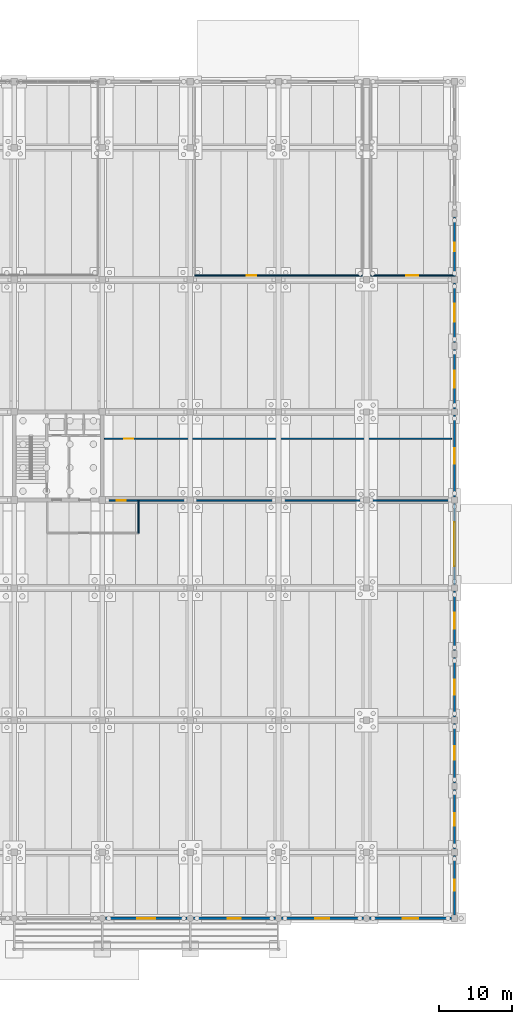
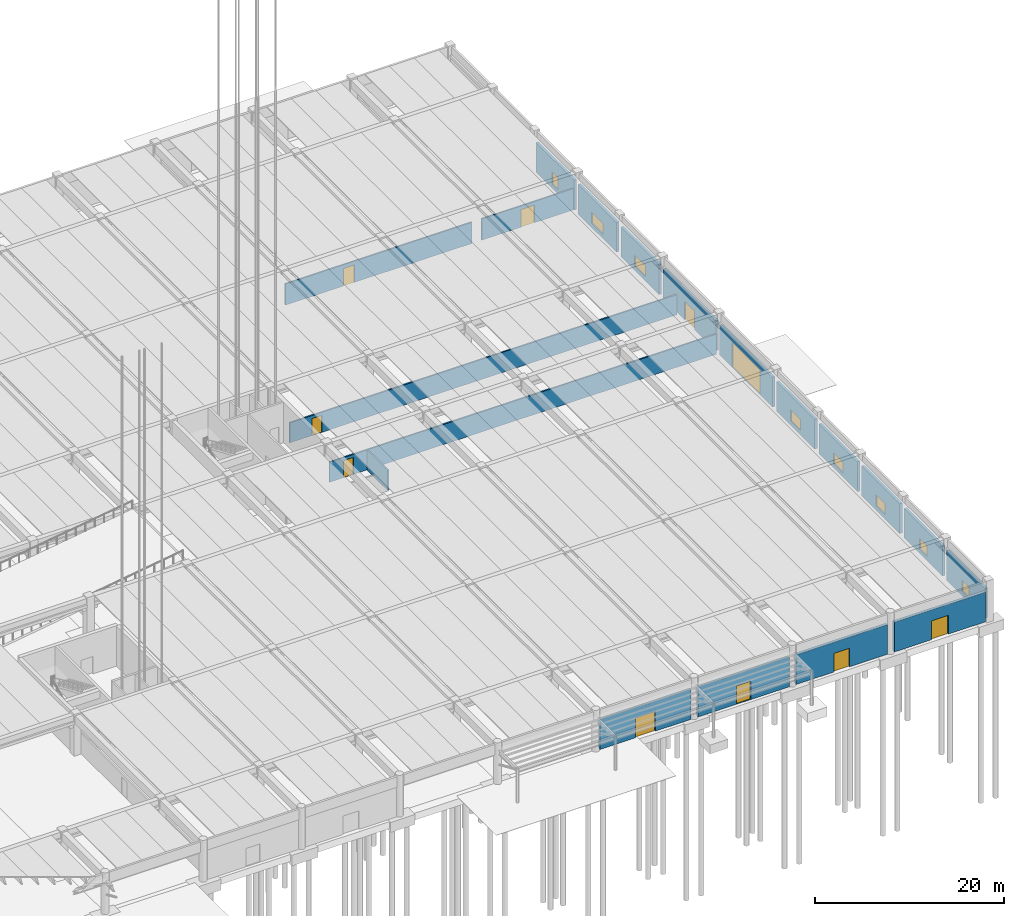
# One storey, part 30 of 59: 19 walls, 10 doors, 8 windows, 18 openings.
"""IFC4 building model written with IfcOpenShell, lengths in metres."""

from ifc_helpers import new_model, si_unit, direction, frame, frame_2d, origin, place, context, subcontext, project, spatial, rectangle, extrude, material, layer, layer_set, type_object, element, fill, save


model = new_model("IFC4")

# Units and contexts
model_context = context("Model", 3, precision=1e-05, world=origin(), true_north=direction((0.0, 1.0)))
body_context = subcontext(model_context, "Body", "Model", "MODEL_VIEW")
ifc_project = project(units=[si_unit("LENGTHUNIT", "METRE"), si_unit("AREAUNIT", "SQUARE_METRE"), si_unit("VOLUMEUNIT", "CUBIC_METRE"), si_unit("PLANEANGLEUNIT", "RADIAN"), si_unit("MASSUNIT", "GRAM", prefix="KILO")], contexts=[model_context])

# Site, building, storey
site_placement = place(None, origin())
site = spatial("IfcSite", under=ifc_project, at=site_placement, CompositionType="ELEMENT")
building_placement = place(site_placement, origin())
building = spatial("IfcBuilding", under=site, at=building_placement, Name="Girod Span Mobility Hub", CompositionType="ELEMENT")
storey_placement = place(building_placement, origin())
storey = spatial("IfcBuildingStorey", under=building, at=storey_placement, Name="L00", CompositionType="ELEMENT", Elevation=0.0)

# Wall, opening, window
ifc_material_1 = material(Name="Precast Architectural Concrete C40/50", Category="concrete")
ifc_layer_1 = layer(ifc_material_1, 0.320068359375)
ifc_layer_set_1 = layer_set([ifc_layer_1], Name="Precast Architectural Concrete C40/50")
wall_type_1 = type_object("IfcWallType", Name="W-EXT-320", PredefinedType="SOLIDWALL", material=ifc_layer_set_1)
wall_1_placement = place(storey_placement, frame((168.0, 0.423095703125, 0.0), z_axis=(0.0, 0.0, 1.0), x_axis=(0.0, 1.0, 0.0)))
wall_1 = element("IfcWall", 1, at=wall_1_placement, inside=storey, type_object=wall_type_1, Name="Side Exterior Wall E-A-1 L00", PredefinedType="SOLIDWALL", context=body_context, shape_type="SweptSolid", body=[
    extrude(rectangle(XDim=8.15380859375, YDim=0.320068359375, at=frame_2d((4.076904296875, 0.0))), origin(), (0.0, 0.0, 1.0), 3.85009765625),
])
opening_1_placement = place(wall_1_placement, frame((3.31689453125, 0.0, 0.550048828125)))
opening_1 = element("IfcOpeningElement", 2, at=opening_1_placement, cuts=wall_1, Name="Opening W-L00-E01", PredefinedType="OPENING", context=body_context, shape_type="SweptSolid", body=[
    extrude(rectangle(XDim=1.52001953125, YDim=1.419921875, at=frame_2d((0.760009765625, 0.7099609375))), frame((0.0, 0.175048828125, 0.0), z_axis=(0.0, -1.0, 0.0), x_axis=(1.0, 0.0, 0.0)), (0.0, 0.0, 1.0), 0.35009765625),
])
ifc_material_2 = material(Name="Double Low-E Insulated Glazing", Category="glass")
window_type_1 = type_object("IfcWindowType", Name="WN-14", PartitioningType="SINGLE_PANEL", PredefinedType="WINDOW", material=ifc_material_2)
window_1_placement = place(opening_1_placement, origin())
window_1 = element("IfcWindow", 3, at=window_1_placement, inside=storey, type_object=window_type_1, Name="Side Facade Window WN-14", OverallHeight=1.419921875, OverallWidth=1.52001953125, PartitioningType="SINGLE_PANEL", PredefinedType="WINDOW", context=body_context, shape_type="SweptSolid", body=[
    extrude(rectangle(XDim=1.52001953125, YDim=1.419921875, at=frame_2d((0.760009765625, 0.7099609375))), frame((0.0, 0.030029296875, 0.0), z_axis=(0.0, -1.0, 0.0), x_axis=(1.0, 0.0, 0.0)), (0.0, 0.0, 1.0), 0.06005859375),
])
fill(opening_1, window_1)

wall_2_placement = place(storey_placement, frame((168.0, 9.423095703125, 0.0), z_axis=(0.0, 0.0, 1.0), x_axis=(0.0, 1.0, 0.0)))
wall_2 = element("IfcWall", 4, at=wall_2_placement, inside=storey, type_object=wall_type_1, Name="Side Exterior Wall E-B-1 L00", PredefinedType="SOLIDWALL", context=body_context, shape_type="SweptSolid", body=[
    extrude(rectangle(XDim=8.10400390625, YDim=0.320068359375, at=frame_2d((4.052001953125, 0.0))), origin(), (0.0, 0.0, 1.0), 3.85009765625),
])
opening_2_placement = place(wall_2_placement, frame((3.2119140625, 0.0, 0.550048828125)))
opening_2 = element("IfcOpeningElement", 5, at=opening_2_placement, cuts=wall_2, Name="Opening W-L00-E11", PredefinedType="OPENING", context=body_context, shape_type="SweptSolid", body=[
    extrude(rectangle(XDim=1.679931640625, YDim=1.419921875, at=frame_2d((0.83984375, 0.7099609375))), frame((0.0, 0.175048828125, 0.0), z_axis=(0.0, -1.0, 0.0), x_axis=(1.0, 0.0, 0.0)), (0.0, 0.0, 1.0), 0.35009765625),
])
ifc_material_3 = material(Name="Double Low-E Insulated Glazing", Category="glass")
window_type_2 = type_object("IfcWindowType", Name="WN-15", PartitioningType="SINGLE_PANEL", PredefinedType="WINDOW", material=ifc_material_3)
window_2_placement = place(opening_2_placement, origin())
window_2 = element("IfcWindow", 6, at=window_2_placement, inside=storey, type_object=window_type_2, Name="Side Facade Window WN-15", OverallHeight=1.419921875, OverallWidth=1.679931640625, PartitioningType="SINGLE_PANEL", PredefinedType="WINDOW", context=body_context, shape_type="SweptSolid", body=[
    extrude(rectangle(XDim=1.679931640625, YDim=1.419921875, at=frame_2d((0.83984375, 0.7099609375))), frame((0.0, 0.030029296875, 0.0), z_axis=(0.0, -1.0, 0.0), x_axis=(1.0, 0.0, 0.0)), (0.0, 0.0, 1.0), 0.06005859375),
])
fill(opening_2, window_2)

wall_3_placement = place(storey_placement, frame((168.0, 18.472900390625, 0.0), z_axis=(0.0, 0.0, 1.0), x_axis=(0.0, 1.0, 0.0)))
wall_3 = element("IfcWall", 7, at=wall_3_placement, inside=storey, type_object=wall_type_1, Name="Side Exterior Wall E-B-2 L00", PredefinedType="SOLIDWALL", context=body_context, shape_type="SweptSolid", body=[
    extrude(rectangle(XDim=8.10400390625, YDim=0.320068359375, at=frame_2d((4.052001953125, 0.0))), origin(), (0.0, 0.0, 1.0), 3.85009765625),
])
opening_3_placement = place(wall_3_placement, frame((3.132080078125, 0.0, 0.550048828125)))
opening_3 = element("IfcOpeningElement", 8, at=opening_3_placement, cuts=wall_3, Name="Opening W-L00-E12", PredefinedType="OPENING", context=body_context, shape_type="SweptSolid", body=[
    extrude(rectangle(XDim=1.840087890625, YDim=1.419921875, at=frame_2d((0.919921875, 0.7099609375))), frame((0.0, 0.175048828125, 0.0), z_axis=(0.0, -1.0, 0.0), x_axis=(1.0, 0.0, 0.0)), (0.0, 0.0, 1.0), 0.35009765625),
])
ifc_material_4 = material(Name="Double Low-E Insulated Glazing", Category="glass")
window_type_3 = type_object("IfcWindowType", Name="WN-16", PartitioningType="DOUBLE_PANEL_VERTICAL", PredefinedType="WINDOW", material=ifc_material_4)
window_3_placement = place(opening_3_placement, origin())
window_3 = element("IfcWindow", 9, at=window_3_placement, inside=storey, type_object=window_type_3, Name="Side Facade Window WN-16", OverallHeight=1.419921875, OverallWidth=1.840087890625, PartitioningType="DOUBLE_PANEL_VERTICAL", PredefinedType="WINDOW", context=body_context, shape_type="SweptSolid", body=[
    extrude(rectangle(XDim=1.840087890625, YDim=1.419921875, at=frame_2d((0.919921875, 0.7099609375))), frame((0.0, 0.030029296875, 0.0), z_axis=(0.0, -1.0, 0.0), x_axis=(1.0, 0.0, 0.0)), (0.0, 0.0, 1.0), 0.06005859375),
])
fill(opening_3, window_3)

wall_4_placement = place(storey_placement, frame((168.0, 27.423095703125, 0.0), z_axis=(0.0, 0.0, 1.0), x_axis=(0.0, 1.0, 0.0)))
wall_4 = element("IfcWall", 10, at=wall_4_placement, inside=storey, type_object=wall_type_1, Name="Side Exterior Wall E-C-1 L00", PredefinedType="SOLIDWALL", context=body_context, shape_type="SweptSolid", body=[
    extrude(rectangle(XDim=8.10400390625, YDim=0.320068359375, at=frame_2d((4.052001953125, 0.0))), origin(), (0.0, 0.0, 1.0), 3.85009765625),
])
opening_4_placement = place(wall_4_placement, frame((3.052001953125, 0.0, 0.550048828125)))
opening_4 = element("IfcOpeningElement", 11, at=opening_4_placement, cuts=wall_4, Name="Opening W-L00-E21", PredefinedType="OPENING", context=body_context, shape_type="SweptSolid", body=[
    extrude(rectangle(XDim=2.0, YDim=1.419921875, at=frame_2d((1.0, 0.7099609375))), frame((0.0, 0.175048828125, 0.0), z_axis=(0.0, -1.0, 0.0), x_axis=(1.0, 0.0, 0.0)), (0.0, 0.0, 1.0), 0.35009765625),
])
ifc_material_5 = material(Name="Double Low-E Insulated Glazing", Category="glass")
window_type_4 = type_object("IfcWindowType", Name="WN-17", PartitioningType="DOUBLE_PANEL_VERTICAL", PredefinedType="WINDOW", material=ifc_material_5)
window_4_placement = place(opening_4_placement, origin())
window_4 = element("IfcWindow", 12, at=window_4_placement, inside=storey, type_object=window_type_4, Name="Side Facade Window WN-17", OverallHeight=1.419921875, OverallWidth=2.0, PartitioningType="DOUBLE_PANEL_VERTICAL", PredefinedType="WINDOW", context=body_context, shape_type="SweptSolid", body=[
    extrude(rectangle(XDim=2.0, YDim=1.419921875, at=frame_2d((1.0, 0.7099609375))), frame((0.0, 0.030029296875, 0.0), z_axis=(0.0, -1.0, 0.0), x_axis=(1.0, 0.0, 0.0)), (0.0, 0.0, 1.0), 0.06005859375),
])
fill(opening_4, window_4)

wall_5_placement = place(storey_placement, frame((168.0, 36.472900390625, 0.0), z_axis=(0.0, 0.0, 1.0), x_axis=(0.0, 1.0, 0.0)))
wall_5 = element("IfcWall", 13, at=wall_5_placement, inside=storey, type_object=wall_type_1, Name="Side Exterior Wall E-C-2 L00", PredefinedType="SOLIDWALL", context=body_context, shape_type="SweptSolid", body=[
    extrude(rectangle(XDim=8.10400390625, YDim=0.320068359375, at=frame_2d((4.052001953125, 0.0))), origin(), (0.0, 0.0, 1.0), 3.85009765625),
])
opening_5_placement = place(wall_5_placement, frame((2.971923828125, 0.0, 0.550048828125)))
opening_5 = element("IfcOpeningElement", 14, at=opening_5_placement, cuts=wall_5, Name="Opening W-L00-E22", PredefinedType="OPENING", context=body_context, shape_type="SweptSolid", body=[
    extrude(rectangle(XDim=2.159912109375, YDim=1.419921875, at=frame_2d((1.080078125, 0.7099609375))), frame((0.0, 0.175048828125, 0.0), z_axis=(0.0, -1.0, 0.0), x_axis=(1.0, 0.0, 0.0)), (0.0, 0.0, 1.0), 0.35009765625),
])
ifc_material_6 = material(Name="Double Low-E Insulated Glazing", Category="glass")
window_type_5 = type_object("IfcWindowType", Name="WN-18", PartitioningType="DOUBLE_PANEL_VERTICAL", PredefinedType="WINDOW", material=ifc_material_6)
window_5_placement = place(opening_5_placement, origin())
window_5 = element("IfcWindow", 15, at=window_5_placement, inside=storey, type_object=window_type_5, Name="Side Facade Window WN-18", OverallHeight=1.419921875, OverallWidth=2.159912109375, PartitioningType="DOUBLE_PANEL_VERTICAL", PredefinedType="WINDOW", context=body_context, shape_type="SweptSolid", body=[
    extrude(rectangle(XDim=2.159912109375, YDim=1.419921875, at=frame_2d((1.080078125, 0.7099609375))), frame((0.0, 0.030029296875, 0.0), z_axis=(0.0, -1.0, 0.0), x_axis=(1.0, 0.0, 0.0)), (0.0, 0.0, 1.0), 0.06005859375),
])
fill(opening_5, window_5)

# Wall, opening, door
wall_6_placement = place(storey_placement, frame((168.0, 45.423095703125, 0.0), z_axis=(0.0, 0.0, 1.0), x_axis=(0.0, 1.0, 0.0)))
wall_6 = element("IfcWall", 16, at=wall_6_placement, inside=storey, type_object=wall_type_1, Name="Side Exterior Wall E-D-1 L00", PredefinedType="SOLIDWALL", context=body_context, shape_type="SweptSolid", body=[
    extrude(rectangle(XDim=11.15380859375, YDim=0.320068359375, at=frame_2d((5.576904296875, 0.0))), origin(), (0.0, 0.0, 1.0), 3.85009765625),
])
opening_6_placement = place(wall_6_placement, frame((2.576904296875, 0.0, 0.0)))
opening_6 = element("IfcOpeningElement", 17, at=opening_6_placement, cuts=wall_6, Name="Opening VG-02", PredefinedType="OPENING", context=body_context, shape_type="SweptSolid", body=[
    extrude(rectangle(XDim=6.0, YDim=3.199951171875, at=frame_2d((3.0, 1.60009765625))), frame((0.0, 0.175048828125, 0.0), z_axis=(0.0, -1.0, 0.0), x_axis=(1.0, 0.0, 0.0)), (0.0, 0.0, 1.0), 0.35009765625),
])
ifc_material_7 = material(Name="Thermally Broken Anodised Aluminium", Category="aluminium")
door_type_1 = type_object("IfcDoorType", Name="VG-6000X3200", OperationType="DOUBLE_DOOR_SLIDING", PredefinedType="GATE", material=ifc_material_7)
door_1_placement = place(opening_6_placement, origin())
door_1 = element("IfcDoor", 18, at=door_1_placement, inside=storey, type_object=door_type_1, Name="Vehicle Ramp Exit Gate VG-02", OperationType="DOUBLE_DOOR_SLIDING", OverallHeight=3.199951171875, OverallWidth=6.0, PredefinedType="GATE", context=body_context, shape_type="SweptSolid", body=[
    extrude(rectangle(XDim=6.0, YDim=3.199951171875, at=frame_2d((3.0, 1.60009765625))), frame((0.0, 0.02490234375, 0.0), z_axis=(0.0, -1.0, 0.0), x_axis=(1.0, 0.0, 0.0)), (0.0, 0.0, 1.0), 0.050048828125),
])
fill(opening_6, door_1)

wall_7_placement = place(storey_placement, frame((168.0, 57.423095703125, 0.0), z_axis=(0.0, 0.0, 1.0), x_axis=(0.0, 1.0, 0.0)))
wall_7 = element("IfcWall", 19, at=wall_7_placement, inside=storey, type_object=wall_type_1, Name="Side Exterior Wall E-E-1 L00", PredefinedType="SOLIDWALL", context=body_context, shape_type="SweptSolid", body=[
    extrude(rectangle(XDim=11.15380859375, YDim=0.320068359375, at=frame_2d((5.576904296875, 0.0))), origin(), (0.0, 0.0, 1.0), 3.85009765625),
])
opening_7_placement = place(wall_7_placement, frame((4.537109375, 0.0, 0.0)))
opening_7 = element("IfcOpeningElement", 20, at=opening_7_placement, cuts=wall_7, Name="Opening D-L00-EP", PredefinedType="OPENING", context=body_context, shape_type="SweptSolid", body=[
    extrude(rectangle(XDim=2.080078125, YDim=2.43994140625, at=frame_2d((1.0400390625, 1.219970703125))), frame((0.0, 0.175048828125, 0.0), z_axis=(0.0, -1.0, 0.0), x_axis=(1.0, 0.0, 0.0)), (0.0, 0.0, 1.0), 0.35009765625),
])
ifc_material_8 = material(Name="Thermally Broken Anodised Aluminium", Category="aluminium")
door_type_2 = type_object("IfcDoorType", Name="DR-EXT-03", OperationType="DOUBLE_DOOR_SINGLE_SWING", PredefinedType="DOOR", material=ifc_material_8)
door_2_placement = place(opening_7_placement, frame((2.080078125, 0.0, 0.0), z_axis=(0.0, 0.0, 1.0), x_axis=(-1.0, 0.0, 0.0)))
door_2 = element("IfcDoor", 21, at=door_2_placement, inside=storey, type_object=door_type_2, Name="E Apron Concourse Exit Door", OperationType="DOUBLE_DOOR_SINGLE_SWING", OverallHeight=2.43994140625, OverallWidth=2.080078125, PredefinedType="DOOR", context=body_context, shape_type="SweptSolid", body=[
    extrude(rectangle(XDim=2.080078125, YDim=2.43994140625, at=frame_2d((1.0400390625, 1.219970703125))), frame((0.0, 0.02490234375, 0.0), z_axis=(0.0, -1.0, 0.0), x_axis=(1.0, 0.0, 0.0)), (0.0, 0.0, 1.0), 0.050048828125),
])
fill(opening_7, door_2)

# Wall, opening, window
wall_8_placement = place(storey_placement, frame((168.0, 69.423095703125, 0.0), z_axis=(0.0, 0.0, 1.0), x_axis=(0.0, 1.0, 0.0)))
wall_8 = element("IfcWall", 22, at=wall_8_placement, inside=storey, type_object=wall_type_1, Name="Side Exterior Wall E-F-1 L00", PredefinedType="SOLIDWALL", context=body_context, shape_type="SweptSolid", body=[
    extrude(rectangle(XDim=8.10400390625, YDim=0.320068359375, at=frame_2d((4.052001953125, 0.0))), origin(), (0.0, 0.0, 1.0), 3.85009765625),
])
opening_8_placement = place(wall_8_placement, frame((2.89208984375, 0.0, 0.550048828125)))
opening_8 = element("IfcOpeningElement", 23, at=opening_8_placement, cuts=wall_8, Name="Opening W-L00-E51", PredefinedType="OPENING", context=body_context, shape_type="SweptSolid", body=[
    extrude(rectangle(XDim=2.320068359375, YDim=1.419921875, at=frame_2d((1.16015625, 0.7099609375))), frame((0.0, 0.175048828125, 0.0), z_axis=(0.0, -1.0, 0.0), x_axis=(1.0, 0.0, 0.0)), (0.0, 0.0, 1.0), 0.35009765625),
])
ifc_material_9 = material(Name="Double Low-E Insulated Glazing", Category="glass")
window_type_6 = type_object("IfcWindowType", Name="WN-19", PartitioningType="DOUBLE_PANEL_VERTICAL", PredefinedType="WINDOW", material=ifc_material_9)
window_6_placement = place(opening_8_placement, origin())
window_6 = element("IfcWindow", 24, at=window_6_placement, inside=storey, type_object=window_type_6, Name="Side Facade Window WN-19", OverallHeight=1.419921875, OverallWidth=2.320068359375, PartitioningType="DOUBLE_PANEL_VERTICAL", PredefinedType="WINDOW", context=body_context, shape_type="SweptSolid", body=[
    extrude(rectangle(XDim=2.320068359375, YDim=1.419921875, at=frame_2d((1.16015625, 0.7099609375))), frame((0.0, 0.030029296875, 0.0), z_axis=(0.0, -1.0, 0.0), x_axis=(1.0, 0.0, 0.0)), (0.0, 0.0, 1.0), 0.06005859375),
])
fill(opening_8, window_6)

wall_9_placement = place(storey_placement, frame((168.0, 78.472900390625, 0.0), z_axis=(0.0, 0.0, 1.0), x_axis=(0.0, 1.0, 0.0)))
wall_9 = element("IfcWall", 25, at=wall_9_placement, inside=storey, type_object=wall_type_1, Name="Side Exterior Wall E-F-2 L00", PredefinedType="SOLIDWALL", context=body_context, shape_type="SweptSolid", body=[
    extrude(rectangle(XDim=8.10400390625, YDim=0.320068359375, at=frame_2d((4.052001953125, 0.0))), origin(), (0.0, 0.0, 1.0), 3.85009765625),
])
opening_9_placement = place(wall_9_placement, frame((2.81201171875, 0.0, 0.550048828125)))
opening_9 = element("IfcOpeningElement", 26, at=opening_9_placement, cuts=wall_9, Name="Opening W-L00-E52", PredefinedType="OPENING", context=body_context, shape_type="SweptSolid", body=[
    extrude(rectangle(XDim=2.47998046875, YDim=1.419921875, at=frame_2d((1.239990234375, 0.7099609375))), frame((0.0, 0.175048828125, 0.0), z_axis=(0.0, -1.0, 0.0), x_axis=(1.0, 0.0, 0.0)), (0.0, 0.0, 1.0), 0.35009765625),
])
ifc_material_10 = material(Name="Double Low-E Insulated Glazing", Category="glass")
window_type_7 = type_object("IfcWindowType", Name="WN-20", PartitioningType="DOUBLE_PANEL_VERTICAL", PredefinedType="WINDOW", material=ifc_material_10)
window_7_placement = place(opening_9_placement, origin())
window_7 = element("IfcWindow", 27, at=window_7_placement, inside=storey, type_object=window_type_7, Name="Side Facade Window WN-20", OverallHeight=1.419921875, OverallWidth=2.47998046875, PartitioningType="DOUBLE_PANEL_VERTICAL", PredefinedType="WINDOW", context=body_context, shape_type="SweptSolid", body=[
    extrude(rectangle(XDim=2.47998046875, YDim=1.419921875, at=frame_2d((1.239990234375, 0.7099609375))), frame((0.0, 0.030029296875, 0.0), z_axis=(0.0, -1.0, 0.0), x_axis=(1.0, 0.0, 0.0)), (0.0, 0.0, 1.0), 0.06005859375),
])
fill(opening_9, window_7)

wall_10_placement = place(storey_placement, frame((168.0, 87.423095703125, 0.0), z_axis=(0.0, 0.0, 1.0), x_axis=(0.0, 1.0, 0.0)))
wall_10 = element("IfcWall", 28, at=wall_10_placement, inside=storey, type_object=wall_type_1, Name="Side Exterior Wall E-G-1 L00", PredefinedType="SOLIDWALL", context=body_context, shape_type="SweptSolid", body=[
    extrude(rectangle(XDim=8.10400390625, YDim=0.320068359375, at=frame_2d((4.052001953125, 0.0))), origin(), (0.0, 0.0, 1.0), 3.85009765625),
])
opening_10_placement = place(wall_10_placement, frame((3.4619140625, 0.0, 0.550048828125)))
opening_10 = element("IfcOpeningElement", 29, at=opening_10_placement, cuts=wall_10, Name="Opening W-L00-E61", PredefinedType="OPENING", context=body_context, shape_type="SweptSolid", body=[
    extrude(rectangle(XDim=1.179931640625, YDim=1.580078125, at=frame_2d((0.58984375, 0.7900390625))), frame((0.0, 0.175048828125, 0.0), z_axis=(0.0, -1.0, 0.0), x_axis=(1.0, 0.0, 0.0)), (0.0, 0.0, 1.0), 0.35009765625),
])
ifc_material_11 = material(Name="Double Low-E Insulated Glazing", Category="glass")
window_type_8 = type_object("IfcWindowType", Name="WN-21", PartitioningType="SINGLE_PANEL", PredefinedType="WINDOW", material=ifc_material_11)
window_8_placement = place(opening_10_placement, origin())
window_8 = element("IfcWindow", 30, at=window_8_placement, inside=storey, type_object=window_type_8, Name="Side Facade Window WN-21", OverallHeight=1.580078125, OverallWidth=1.179931640625, PartitioningType="SINGLE_PANEL", PredefinedType="WINDOW", context=body_context, shape_type="SweptSolid", body=[
    extrude(rectangle(XDim=1.179931640625, YDim=1.580078125, at=frame_2d((0.58984375, 0.7900390625))), frame((0.0, 0.030029296875, 0.0), z_axis=(0.0, -1.0, 0.0), x_axis=(1.0, 0.0, 0.0)), (0.0, 0.0, 1.0), 0.06005859375),
])
fill(opening_10, window_8)

# Wall, opening, door
ifc_material_12 = material(Name="Precast Architectural Concrete C40/50", Category="concrete")
ifc_layer_2 = layer(ifc_material_12, 0.340087890625)
ifc_layer_set_2 = layer_set([ifc_layer_2], Name="Precast Architectural Concrete C40/50")
wall_type_2 = type_object("IfcWallType", Name="W-EXT-340", PredefinedType="SOLIDWALL", material=ifc_layer_set_2)
wall_11_placement = place(storey_placement, frame((120.423095703125, 0.0, 0.0), z_axis=(0.0, 0.0, 1.0), x_axis=(1.0, 0.0, 0.0)))
wall_11 = element("IfcWall", 31, at=wall_11_placement, inside=storey, type_object=wall_type_2, Name="Exterior Insulated Precast Wall S-11 L00", PredefinedType="SOLIDWALL", context=body_context, shape_type="SweptSolid", body=[
    extrude(rectangle(XDim=11.15380859375, YDim=0.340087890625, at=frame_2d((5.576904296875, 0.0))), origin(), (0.0, 0.0, 1.0), 3.85009765625),
])
opening_11_placement = place(wall_11_placement, frame((4.376953125, 0.0, 0.0)))
opening_11 = element("IfcOpeningElement", 32, at=opening_11_placement, cuts=wall_11, Name="Opening D-L00-S10", PredefinedType="OPENING", context=body_context, shape_type="SweptSolid", body=[
    extrude(rectangle(XDim=2.39990234375, YDim=2.5400390625, at=frame_2d((1.199951171875, 1.27001953125))), frame((0.0, 0.18505859375, 0.0), z_axis=(0.0, -1.0, 0.0), x_axis=(1.0, 0.0, 0.0)), (0.0, 0.0, 1.0), 0.3701171875),
])
ifc_material_13 = material(Name="Thermally Broken Anodised Aluminium", Category="aluminium")
door_type_3 = type_object("IfcDoorType", Name="DR-EXT-05", OperationType="DOUBLE_DOOR_SINGLE_SWING", PredefinedType="DOOR", material=ifc_material_13)
door_3_placement = place(opening_11_placement, frame((2.39990234375, 0.0, 0.0), z_axis=(0.0, 0.0, 1.0), x_axis=(-1.0, 0.0, 0.0)))
door_3 = element("IfcDoor", 33, at=door_3_placement, inside=storey, type_object=door_type_3, Name="South Boulevard Concourse Entrance 10", OperationType="DOUBLE_DOOR_SINGLE_SWING", OverallHeight=2.5400390625, OverallWidth=2.39990234375, PredefinedType="DOOR", context=body_context, shape_type="SweptSolid", body=[
    extrude(rectangle(XDim=2.39990234375, YDim=2.5400390625, at=frame_2d((1.199951171875, 1.27001953125))), frame((0.0, 0.02490234375, 0.0), z_axis=(0.0, -1.0, 0.0), x_axis=(1.0, 0.0, 0.0)), (0.0, 0.0, 1.0), 0.050048828125),
])
fill(opening_11, door_3)

wall_12_placement = place(storey_placement, frame((132.423095703125, 0.0, 0.0), z_axis=(0.0, 0.0, 1.0), x_axis=(1.0, 0.0, 0.0)))
wall_12 = element("IfcWall", 34, at=wall_12_placement, inside=storey, type_object=wall_type_2, Name="Exterior Insulated Precast Wall S-12 L00", PredefinedType="SOLIDWALL", context=body_context, shape_type="SweptSolid", body=[
    extrude(rectangle(XDim=11.15380859375, YDim=0.340087890625, at=frame_2d((5.576904296875, 0.0))), origin(), (0.0, 0.0, 1.0), 3.85009765625),
])
opening_12_placement = place(wall_12_placement, frame((4.697021484375, 0.0, 0.0)))
opening_12 = element("IfcOpeningElement", 35, at=opening_12_placement, cuts=wall_12, Name="Opening D-L00-S11", PredefinedType="OPENING", context=body_context, shape_type="SweptSolid", body=[
    extrude(rectangle(XDim=1.760009765625, YDim=2.360107421875, at=frame_2d((0.8798828125, 1.18017578125))), frame((0.0, 0.18505859375, 0.0), z_axis=(0.0, -1.0, 0.0), x_axis=(1.0, 0.0, 0.0)), (0.0, 0.0, 1.0), 0.3701171875),
])
ifc_material_14 = material(Name="Thermally Broken Anodised Aluminium", Category="aluminium")
door_type_4 = type_object("IfcDoorType", Name="DR-EXT-01", OperationType="DOUBLE_DOOR_SINGLE_SWING", PredefinedType="DOOR", material=ifc_material_14)
door_4_placement = place(opening_12_placement, frame((1.760009765625, 0.0, 0.0), z_axis=(0.0, 0.0, 1.0), x_axis=(-1.0, 0.0, 0.0)))
door_4 = element("IfcDoor", 36, at=door_4_placement, inside=storey, type_object=door_type_4, Name="South Boulevard Concourse Entrance 11", OperationType="DOUBLE_DOOR_SINGLE_SWING", OverallHeight=2.360107421875, OverallWidth=1.760009765625, PredefinedType="DOOR", context=body_context, shape_type="SweptSolid", body=[
    extrude(rectangle(XDim=1.760009765625, YDim=2.360107421875, at=frame_2d((0.8798828125, 1.18017578125))), frame((0.0, 0.02490234375, 0.0), z_axis=(0.0, -1.0, 0.0), x_axis=(1.0, 0.0, 0.0)), (0.0, 0.0, 1.0), 0.050048828125),
])
fill(opening_12, door_4)

wall_13_placement = place(storey_placement, frame((144.423095703125, 0.0, 0.0), z_axis=(0.0, 0.0, 1.0), x_axis=(1.0, 0.0, 0.0)))
wall_13 = element("IfcWall", 37, at=wall_13_placement, inside=storey, type_object=wall_type_2, Name="Exterior Insulated Precast Wall S-13 L00", PredefinedType="SOLIDWALL", context=body_context, shape_type="SweptSolid", body=[
    extrude(rectangle(XDim=11.15380859375, YDim=0.340087890625, at=frame_2d((5.576904296875, 0.0))), origin(), (0.0, 0.0, 1.0), 3.85009765625),
])
opening_13_placement = place(wall_13_placement, frame((4.616943359375, 0.0, 0.0)))
opening_13 = element("IfcOpeningElement", 38, at=opening_13_placement, cuts=wall_13, Name="Opening D-L00-S12", PredefinedType="OPENING", context=body_context, shape_type="SweptSolid", body=[
    extrude(rectangle(XDim=1.919921875, YDim=2.39990234375, at=frame_2d((0.9599609375, 1.199951171875))), frame((0.0, 0.18505859375, 0.0), z_axis=(0.0, -1.0, 0.0), x_axis=(1.0, 0.0, 0.0)), (0.0, 0.0, 1.0), 0.3701171875),
])
ifc_material_15 = material(Name="Thermally Broken Anodised Aluminium", Category="aluminium")
door_type_5 = type_object("IfcDoorType", Name="DR-EXT-02", OperationType="DOUBLE_DOOR_SINGLE_SWING", PredefinedType="DOOR", material=ifc_material_15)
door_5_placement = place(opening_13_placement, frame((1.919921875, 0.0, 0.0), z_axis=(0.0, 0.0, 1.0), x_axis=(-1.0, 0.0, 0.0)))
door_5 = element("IfcDoor", 39, at=door_5_placement, inside=storey, type_object=door_type_5, Name="South Boulevard Concourse Entrance 12", OperationType="DOUBLE_DOOR_SINGLE_SWING", OverallHeight=2.39990234375, OverallWidth=1.919921875, PredefinedType="DOOR", context=body_context, shape_type="SweptSolid", body=[
    extrude(rectangle(XDim=1.919921875, YDim=2.39990234375, at=frame_2d((0.9599609375, 1.199951171875))), frame((0.0, 0.02490234375, 0.0), z_axis=(0.0, -1.0, 0.0), x_axis=(1.0, 0.0, 0.0)), (0.0, 0.0, 1.0), 0.050048828125),
])
fill(opening_13, door_5)

wall_14_placement = place(storey_placement, frame((156.423095703125, 0.0, 0.0), z_axis=(0.0, 0.0, 1.0), x_axis=(1.0, 0.0, 0.0)))
wall_14 = element("IfcWall", 40, at=wall_14_placement, inside=storey, type_object=wall_type_2, Name="Exterior Insulated Precast Wall S-14 L00", PredefinedType="SOLIDWALL", context=body_context, shape_type="SweptSolid", body=[
    extrude(rectangle(XDim=11.15380859375, YDim=0.340087890625, at=frame_2d((5.576904296875, 0.0))), origin(), (0.0, 0.0, 1.0), 3.85009765625),
])
opening_14_placement = place(wall_14_placement, frame((4.537109375, 0.0, 0.0)))
opening_14 = element("IfcOpeningElement", 41, at=opening_14_placement, cuts=wall_14, Name="Opening D-L00-S13", PredefinedType="OPENING", context=body_context, shape_type="SweptSolid", body=[
    extrude(rectangle(XDim=2.080078125, YDim=2.43994140625, at=frame_2d((1.0400390625, 1.219970703125))), frame((0.0, 0.18505859375, 0.0), z_axis=(0.0, -1.0, 0.0), x_axis=(1.0, 0.0, 0.0)), (0.0, 0.0, 1.0), 0.3701171875),
])
door_6_placement = place(opening_14_placement, frame((2.080078125, 0.0, 0.0), z_axis=(0.0, 0.0, 1.0), x_axis=(-1.0, 0.0, 0.0)))
door_6 = element("IfcDoor", 42, at=door_6_placement, inside=storey, type_object=door_type_2, Name="South Boulevard Concourse Entrance 13", OperationType="DOUBLE_DOOR_SINGLE_SWING", OverallHeight=2.43994140625, OverallWidth=2.080078125, PredefinedType="DOOR", context=body_context, shape_type="SweptSolid", body=[
    extrude(rectangle(XDim=2.080078125, YDim=2.43994140625, at=frame_2d((1.0400390625, 1.219970703125))), frame((0.0, 0.02490234375, 0.0), z_axis=(0.0, -1.0, 0.0), x_axis=(1.0, 0.0, 0.0)), (0.0, 0.0, 1.0), 0.050048828125),
])
fill(opening_14, door_6)

# Wall
ifc_material_16 = material(Name="Reinforced Concrete Masonry Block", Category="masonry")
ifc_layer_3 = layer(ifc_material_16, 0.179931640625)
ifc_layer_set_3 = layer_set([ifc_layer_3], Name="Reinforced Concrete Masonry Block")
wall_type_3 = type_object("IfcWallType", Name="W-FP-180", PredefinedType="SOLIDWALL", material=ifc_layer_set_3)
wall_15_placement = place(storey_placement, frame((124.949951171875, 52.5, 0.0), z_axis=(0.0, 0.0, 1.0), x_axis=(0.0, 1.0, 0.0)))
element("IfcWall", 43, at=wall_15_placement, inside=storey, type_object=wall_type_3, Name="Exit Vestibule ST-2 East Wall", PredefinedType="SOLIDWALL", context=body_context, shape_type="SweptSolid", body=[
    extrude(rectangle(XDim=4.449951171875, YDim=0.179931640625, at=frame_2d((2.22509765625, 0.0))), origin(), (0.0, 0.0, 1.0), 2.60009765625),
])

# Wall, opening, door
wall_16_placement = place(storey_placement, frame((120.300048828125, 56.949951171875, 0.0), z_axis=(0.0, 0.0, 1.0), x_axis=(1.0, 0.0, 0.0)))
wall_16 = element("IfcWall", 44, at=wall_16_placement, inside=storey, type_object=wall_type_3, Name="Exit Passage ST-2 South Wall", PredefinedType="SOLIDWALL", context=body_context, shape_type="SweptSolid", body=[
    extrude(rectangle(XDim=47.300048828125, YDim=0.179931640625, at=frame_2d((23.64990234375, 0.0))), origin(), (0.0, 0.0, 1.0), 2.60009765625),
])
opening_15_placement = place(wall_16_placement, frame((1.699951171875, 0.0, 0.0)))
opening_15 = element("IfcOpeningElement", 45, at=opening_15_placement, cuts=wall_16, Name="Opening D-EV2-N", PredefinedType="OPENING", context=body_context, shape_type="SweptSolid", body=[
    extrude(rectangle(XDim=1.199951171875, YDim=2.199951171875, at=frame_2d((0.60009765625, 1.10009765625))), frame((0.0, 0.10498046875, 0.0), z_axis=(0.0, -1.0, 0.0), x_axis=(1.0, 0.0, 0.0)), (0.0, 0.0, 1.0), 0.2099609375),
])
ifc_material_17 = material(Name="Fire-Rated Insulated Hollow Metal Steel", Category="steel")
door_type_6 = type_object("IfcDoorType", Name="DT-FD-05", OperationType="NOTDEFINED", PredefinedType="DOOR", material=ifc_material_17)
door_7_placement = place(opening_15_placement, origin())
door_7 = element("IfcDoor", 46, at=door_7_placement, inside=storey, type_object=door_type_6, Name="Exit Vestibule ST-2 Passage Door", OperationType="SINGLE_SWING_LEFT", OverallHeight=2.199951171875, OverallWidth=1.199951171875, PredefinedType="DOOR", context=body_context, shape_type="SweptSolid", body=[
    extrude(rectangle(XDim=1.199951171875, YDim=2.199951171875, at=frame_2d((0.60009765625, 1.10009765625))), frame((0.0, 0.02490234375, 0.0), z_axis=(0.0, -1.0, 0.0), x_axis=(1.0, 0.0, 0.0)), (0.0, 0.0, 1.0), 0.050048828125),
])
fill(opening_15, door_7)

wall_17_placement = place(storey_placement, frame((120.300048828125, 65.35009765625, 0.0), z_axis=(0.0, 0.0, 1.0), x_axis=(1.0, 0.0, 0.0)))
wall_17 = element("IfcWall", 47, at=wall_17_placement, inside=storey, type_object=wall_type_3, Name="Exit Passage ST-2 North Wall", PredefinedType="SOLIDWALL", context=body_context, shape_type="SweptSolid", body=[
    extrude(rectangle(XDim=47.300048828125, YDim=0.179931640625, at=frame_2d((23.64990234375, 0.0))), origin(), (0.0, 0.0, 1.0), 2.60009765625),
])
opening_16_placement = place(wall_17_placement, frame((2.699951171875, 0.0, 0.0)))
opening_16 = element("IfcOpeningElement", 48, at=opening_16_placement, cuts=wall_17, Name="Opening D-EP2-N", PredefinedType="OPENING", context=body_context, shape_type="SweptSolid", body=[
    extrude(rectangle(XDim=1.199951171875, YDim=2.199951171875, at=frame_2d((0.60009765625, 1.10009765625))), frame((0.0, 0.10498046875, 0.0), z_axis=(0.0, -1.0, 0.0), x_axis=(1.0, 0.0, 0.0)), (0.0, 0.0, 1.0), 0.2099609375),
])
door_8_placement = place(opening_16_placement, frame((1.199951171875, 0.0, 0.0), z_axis=(0.0, 0.0, 1.0), x_axis=(-1.0, 0.0, 0.0)))
door_8 = element("IfcDoor", 49, at=door_8_placement, inside=storey, type_object=door_type_6, Name="Exit Passage ST-2 North Link Door", OperationType="SINGLE_SWING_RIGHT", OverallHeight=2.199951171875, OverallWidth=1.199951171875, PredefinedType="DOOR", context=body_context, shape_type="SweptSolid", body=[
    extrude(rectangle(XDim=1.199951171875, YDim=2.199951171875, at=frame_2d((0.60009765625, 1.10009765625))), frame((0.0, 0.02490234375, 0.0), z_axis=(0.0, -1.0, 0.0), x_axis=(1.0, 0.0, 0.0)), (0.0, 0.0, 1.0), 0.050048828125),
])
fill(opening_16, door_8)

wall_18_placement = place(storey_placement, frame((132.60009765625, 87.60009765625, 0.0), z_axis=(0.0, 0.0, 1.0), x_axis=(1.0, 0.0, 0.0)))
wall_18 = element("IfcWall", 50, at=wall_18_placement, inside=storey, type_object=wall_type_3, Name="Loading Dock Partition S", PredefinedType="SOLIDWALL", context=body_context, shape_type="SweptSolid", body=[
    extrude(rectangle(XDim=22.7998046875, YDim=0.179931640625, at=frame_2d((11.39990234375, 0.0))), origin(), (0.0, 0.0, 1.0), 2.75),
])
opening_17_placement = place(wall_18_placement, frame((7.092041015625, 0.0, 0.0)))
opening_17 = element("IfcOpeningElement", 51, at=opening_17_placement, cuts=wall_18, Name="Opening D-L00-LOAD", PredefinedType="OPENING", context=body_context, shape_type="SweptSolid", body=[
    extrude(rectangle(XDim=1.320068359375, YDim=2.260009765625, at=frame_2d((0.66015625, 1.1298828125))), frame((0.0, 0.10498046875, 0.0), z_axis=(0.0, -1.0, 0.0), x_axis=(1.0, 0.0, 0.0)), (0.0, 0.0, 1.0), 0.2099609375),
])
ifc_material_18 = material(Name="Fire-Rated Insulated Hollow Metal Steel", Category="steel")
door_type_7 = type_object("IfcDoorType", Name="DT-FD-08", OperationType="DOUBLE_DOOR_SINGLE_SWING", PredefinedType="DOOR", material=ifc_material_18)
door_9_placement = place(opening_17_placement, origin())
door_9 = element("IfcDoor", 52, at=door_9_placement, inside=storey, type_object=door_type_7, Name="Loading Dock Door", OperationType="DOUBLE_DOOR_SINGLE_SWING", OverallHeight=2.260009765625, OverallWidth=1.320068359375, PredefinedType="DOOR", context=body_context, shape_type="SweptSolid", body=[
    extrude(rectangle(XDim=1.320068359375, YDim=2.260009765625, at=frame_2d((0.66015625, 1.1298828125))), frame((0.0, 0.02490234375, 0.0), z_axis=(0.0, -1.0, 0.0), x_axis=(1.0, 0.0, 0.0)), (0.0, 0.0, 1.0), 0.050048828125),
])
fill(opening_17, door_9)

wall_19_placement = place(storey_placement, frame((156.60009765625, 87.60009765625, 0.0), z_axis=(0.0, 0.0, 1.0), x_axis=(1.0, 0.0, 0.0)))
wall_19 = element("IfcWall", 53, at=wall_19_placement, inside=storey, type_object=wall_type_3, Name="Mechanical Plant Fire Pump Room Partition S", PredefinedType="SOLIDWALL", context=body_context, shape_type="SweptSolid", body=[
    extrude(rectangle(XDim=11.260009765625, YDim=0.179931640625, at=frame_2d((5.6298828125, 0.0))), origin(), (0.0, 0.0, 1.0), 2.75),
])
opening_18_placement = place(wall_19_placement, frame((4.820068359375, 0.0, 0.0)))
opening_18 = element("IfcOpeningElement", 54, at=opening_18_placement, cuts=wall_19, Name="Opening D-L00-PUMP", PredefinedType="OPENING", context=body_context, shape_type="SweptSolid", body=[
    extrude(rectangle(XDim=1.6201171875, YDim=2.300048828125, at=frame_2d((0.81005859375, 1.14990234375))), frame((0.0, 0.10498046875, 0.0), z_axis=(0.0, -1.0, 0.0), x_axis=(1.0, 0.0, 0.0)), (0.0, 0.0, 1.0), 0.2099609375),
])
ifc_material_19 = material(Name="Fire-Rated Insulated Hollow Metal Steel", Category="steel")
door_type_8 = type_object("IfcDoorType", Name="DT-FD-09", OperationType="DOUBLE_DOOR_SINGLE_SWING", PredefinedType="DOOR", material=ifc_material_19)
door_10_placement = place(opening_18_placement, origin())
door_10 = element("IfcDoor", 55, at=door_10_placement, inside=storey, type_object=door_type_8, Name="Mechanical Plant Fire Pump Room Door", OperationType="DOUBLE_DOOR_SINGLE_SWING", OverallHeight=2.300048828125, OverallWidth=1.6201171875, PredefinedType="DOOR", context=body_context, shape_type="SweptSolid", body=[
    extrude(rectangle(XDim=1.6201171875, YDim=2.300048828125, at=frame_2d((0.81005859375, 1.14990234375))), frame((0.0, 0.02490234375, 0.0), z_axis=(0.0, -1.0, 0.0), x_axis=(1.0, 0.0, 0.0)), (0.0, 0.0, 1.0), 0.050048828125),
])
fill(opening_18, door_10)

save(model, "model.ifc")
